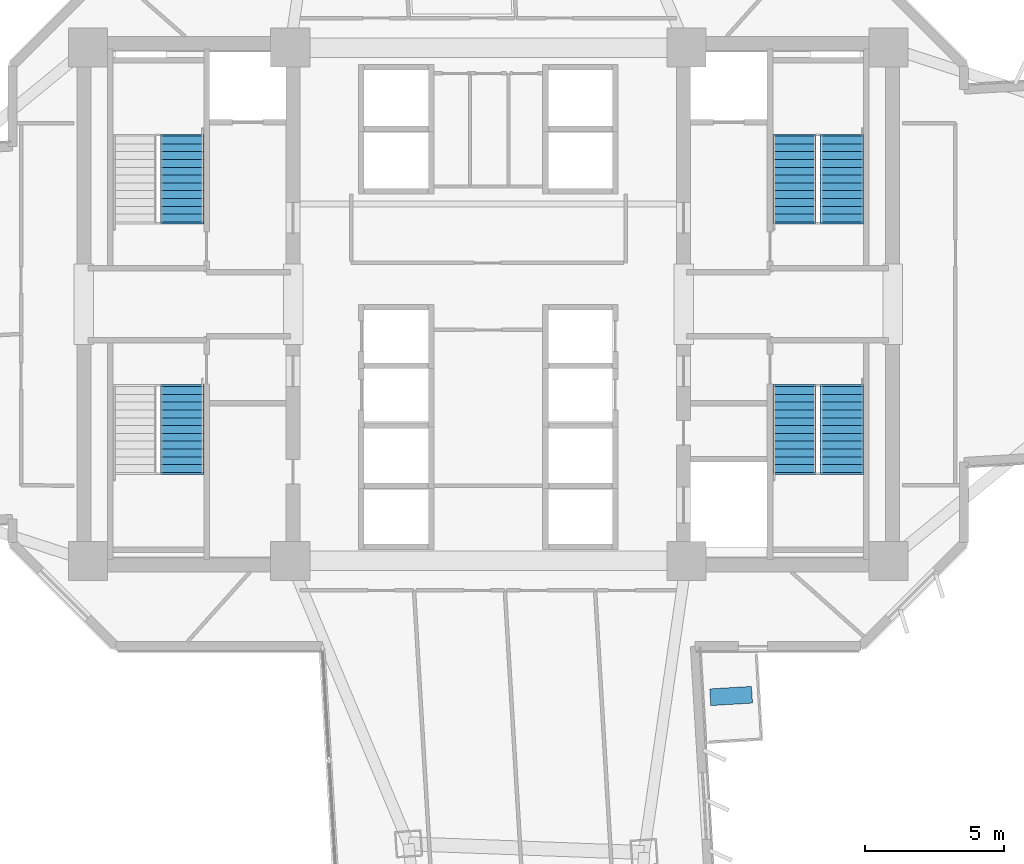
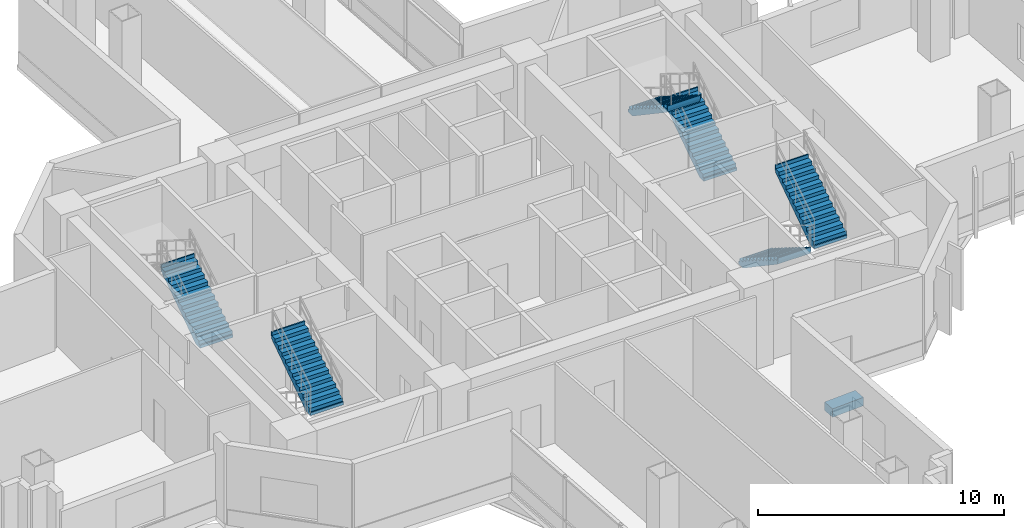
# One storey, part 10 of 15: 6 stair flights, 1 discrete accessory, 4 elements without a shape of their own.
"""IFC4 building model written with IfcOpenShell, lengths in metres."""

from ifc_helpers import new_model, si_unit, direction, frame, origin, origin_2d, place, context, subcontext, project, spatial, polyline, rectangle, outline, extrude, source, transform, mapped, material, type_object, element, aggregate, save


model = new_model("IFC4")

# Units and contexts
model_context = context("Model", 3, precision=1e-05, world=origin(), true_north=direction((0.0, 1.0)))
body_context = subcontext(model_context, "Body", "Model", "MODEL_VIEW")
ifc_project = project(units=[si_unit("LENGTHUNIT", "METRE"), si_unit("AREAUNIT", "SQUARE_METRE"), si_unit("VOLUMEUNIT", "CUBIC_METRE"), si_unit("PLANEANGLEUNIT", "RADIAN"), si_unit("MASSUNIT", "GRAM", prefix="KILO")], contexts=[model_context])

# Site, building, storey
site_placement = place(None, origin())
site = spatial("IfcSite", under=ifc_project, at=site_placement, CompositionType="ELEMENT")
building_placement = place(site_placement, origin())
building = spatial("IfcBuilding", under=site, at=building_placement, Name="Zahravan Cultural Tower", CompositionType="ELEMENT")
storey_placement = place(building_placement, frame((0.0, 0.0, 66.89990234375)))
storey = spatial("IfcBuildingStorey", under=building, at=storey_placement, Name="L14", CompositionType="ELEMENT", Elevation=66.89990234375)

# Stair, stair flight
ifc_material_1 = material(Name="Concrete C45/55", Category="concrete")
stair_type = type_object("IfcStairType", Name="STR-DL-1550-420", PredefinedType="HALF_TURN_STAIR", material=ifc_material_1)
stair_1_placement = place(storey_placement, origin())
stair_1 = element("IfcStair", 1, at=stair_1_placement, inside=storey, type_object=stair_type, Name="L14 West Core North Exit Stair ST-W1", PredefinedType="HALF_TURN_STAIR")
stair_flight_type = type_object("IfcStairFlightType", Name="FLG-DL-1550-420", PredefinedType="STRAIGHT", material=ifc_material_1)
stair_flight_1_placement = place(storey_placement, frame((25.02490234375, 29.949951171875, 0.0), z_axis=(0.0, 0.0, 1.0), x_axis=(0.0, 1.0, 0.0)))
stair_flight_1 = element("IfcStairFlight", 2, at=stair_flight_1_placement, type_object=stair_flight_type, Name="ST-W1 flight 1", NumberOfRisers=12, NumberOfTreads=11, PredefinedType="STRAIGHT", RiserHeight=0.175, TreadLength=0.28, context=body_context, shape_type="SweptSolid", body=[
    extrude(outline(polyline([(-0.06494140625, -0.139892578125), (-0.06494140625, 0.0), (0.0, 0.0), (0.0, 0.175048828125), (0.280029296875, 0.175048828125), (0.280029296875, 0.35009765625), (0.56005859375, 0.35009765625), (0.56005859375, 0.52490234375), (0.840087890625, 0.52490234375), (0.840087890625, 0.699951171875), (1.1201171875, 0.699951171875), (1.1201171875, 0.875), (1.39990234375, 0.875), (1.39990234375, 1.050048828125), (1.679931640625, 1.050048828125), (1.679931640625, 1.22509765625), (1.9599609375, 1.22509765625), (1.9599609375, 1.39990234375), (2.239990234375, 1.39990234375), (2.239990234375, 1.574951171875), (2.52001953125, 1.574951171875), (2.52001953125, 1.75), (2.800048828125, 1.75), (2.800048828125, 1.925048828125), (3.080078125, 1.925048828125), (3.080078125, 2.10009765625), (3.14501953125, 2.10009765625), (3.14501953125, 1.9501953125), (3.080078125, 1.748291015625), (0.28271484375, -0.139892578125), (-0.06494140625, -0.139892578125)])), frame((0.0, 0.77490234375, 0.0), z_axis=(0.0, -1.0, 0.0), x_axis=(1.0, 0.0, 0.0)), (0.0, 0.0, 1.0), 1.550048828125),
])
aggregate(stair_1, [stair_flight_1])

stair_2_placement = place(storey_placement, origin())
stair_2 = element("IfcStair", 3, at=stair_2_placement, inside=storey, type_object=stair_type, Name="L14 West Core South Exit Stair ST-W2", PredefinedType="HALF_TURN_STAIR")
stair_flight_2_placement = place(storey_placement, frame((25.02490234375, 20.969970703125, 2.10009765625), z_axis=(0.0, 0.0, 1.0), x_axis=(0.0, 1.0, 0.0)))
stair_flight_2 = element("IfcStairFlight", 4, at=stair_flight_2_placement, type_object=stair_flight_type, Name="ST-W2 flight 2", NumberOfRisers=12, NumberOfTreads=11, PredefinedType="STRAIGHT", RiserHeight=0.175, TreadLength=0.28, context=body_context, shape_type="SweptSolid", body=[
    extrude(outline(polyline([(-0.06494140625, -0.139892578125), (-0.06494140625, 0.0), (0.0, 0.0), (0.0, 0.175048828125), (0.280029296875, 0.175048828125), (0.280029296875, 0.35009765625), (0.56005859375, 0.35009765625), (0.56005859375, 0.52490234375), (0.840087890625, 0.52490234375), (0.840087890625, 0.699951171875), (1.1201171875, 0.699951171875), (1.1201171875, 0.875), (1.39990234375, 0.875), (1.39990234375, 1.050048828125), (1.679931640625, 1.050048828125), (1.679931640625, 1.22509765625), (1.9599609375, 1.22509765625), (1.9599609375, 1.39990234375), (2.239990234375, 1.39990234375), (2.239990234375, 1.574951171875), (2.52001953125, 1.574951171875), (2.52001953125, 1.75), (2.800048828125, 1.75), (2.800048828125, 1.925048828125), (3.080078125, 1.925048828125), (3.080078125, 2.10009765625), (3.14501953125, 2.10009765625), (3.14501953125, 1.9501953125), (3.080078125, 1.748291015625), (0.28271484375, -0.139892578125), (-0.06494140625, -0.139892578125)])), frame((0.0, 0.77490234375, 0.0), z_axis=(0.0, -1.0, 0.0), x_axis=(1.0, 0.0, 0.0)), (0.0, 0.0, 1.0), 1.550048828125),
])
aggregate(stair_2, [stair_flight_2])

# Stair, stair flights
stair_3_placement = place(storey_placement, origin())
stair_3 = element("IfcStair", 5, at=stair_3_placement, inside=storey, type_object=stair_type, Name="L14 East Core North Exit Stair ST-E1", PredefinedType="HALF_TURN_STAIR")
stair_flight_3_placement = place(storey_placement, frame((48.675048828125, 29.949951171875, 0.0), z_axis=(0.0, 0.0, 1.0), x_axis=(0.0, 1.0, 0.0)))
stair_flight_3 = element("IfcStairFlight", 6, at=stair_flight_3_placement, type_object=stair_flight_type, Name="ST-E1 flight 1", NumberOfRisers=12, NumberOfTreads=11, PredefinedType="STRAIGHT", RiserHeight=0.175, TreadLength=0.28, context=body_context, shape_type="SweptSolid", body=[
    extrude(outline(polyline([(-0.06494140625, -0.139892578125), (-0.06494140625, 0.0), (0.0, 0.0), (0.0, 0.175048828125), (0.280029296875, 0.175048828125), (0.280029296875, 0.35009765625), (0.56005859375, 0.35009765625), (0.56005859375, 0.52490234375), (0.840087890625, 0.52490234375), (0.840087890625, 0.699951171875), (1.1201171875, 0.699951171875), (1.1201171875, 0.875), (1.39990234375, 0.875), (1.39990234375, 1.050048828125), (1.679931640625, 1.050048828125), (1.679931640625, 1.22509765625), (1.9599609375, 1.22509765625), (1.9599609375, 1.39990234375), (2.239990234375, 1.39990234375), (2.239990234375, 1.574951171875), (2.52001953125, 1.574951171875), (2.52001953125, 1.75), (2.800048828125, 1.75), (2.800048828125, 1.925048828125), (3.080078125, 1.925048828125), (3.080078125, 2.10009765625), (3.14501953125, 2.10009765625), (3.14501953125, 1.9501953125), (3.080078125, 1.748291015625), (0.28271484375, -0.139892578125), (-0.06494140625, -0.139892578125)])), frame((0.0, 0.77490234375, 0.0), z_axis=(0.0, -1.0, 0.0), x_axis=(1.0, 0.0, 0.0)), (0.0, 0.0, 1.0), 1.550048828125),
])
stair_flight_4_placement = place(storey_placement, frame((46.97509765625, 33.030029296875, 2.10009765625), z_axis=(0.0, 0.0, 1.0), x_axis=(0.0, -1.0, 0.0)))
stair_flight_4 = element("IfcStairFlight", 7, at=stair_flight_4_placement, type_object=stair_flight_type, Name="ST-E1 flight 2", NumberOfRisers=12, NumberOfTreads=11, PredefinedType="STRAIGHT", RiserHeight=0.175, TreadLength=0.28, context=body_context, shape_type="SweptSolid", body=[
    extrude(outline(polyline([(-0.06494140625, -0.139892578125), (-0.06494140625, 0.0), (0.0, 0.0), (0.0, 0.175048828125), (0.280029296875, 0.175048828125), (0.280029296875, 0.35009765625), (0.56005859375, 0.35009765625), (0.56005859375, 0.52490234375), (0.840087890625, 0.52490234375), (0.840087890625, 0.699951171875), (1.1201171875, 0.699951171875), (1.1201171875, 0.875), (1.39990234375, 0.875), (1.39990234375, 1.050048828125), (1.679931640625, 1.050048828125), (1.679931640625, 1.22509765625), (1.9599609375, 1.22509765625), (1.9599609375, 1.39990234375), (2.239990234375, 1.39990234375), (2.239990234375, 1.574951171875), (2.52001953125, 1.574951171875), (2.52001953125, 1.75), (2.800048828125, 1.75), (2.800048828125, 1.925048828125), (3.080078125, 1.925048828125), (3.080078125, 2.10009765625), (3.14501953125, 2.10009765625), (3.14501953125, 1.9501953125), (3.080078125, 1.748291015625), (0.28271484375, -0.139892578125), (-0.06494140625, -0.139892578125)])), frame((0.0, 0.77490234375, 0.0), z_axis=(0.0, -1.0, 0.0), x_axis=(1.0, 0.0, 0.0)), (0.0, 0.0, 1.0), 1.550048828125),
])
aggregate(stair_3, [stair_flight_3, stair_flight_4])

stair_4_placement = place(storey_placement, origin())
stair_4 = element("IfcStair", 8, at=stair_4_placement, inside=storey, type_object=stair_type, Name="L14 East Core South Exit Stair ST-E2", PredefinedType="HALF_TURN_STAIR")
stair_flight_5_placement = place(storey_placement, frame((46.97509765625, 24.050048828125, 0.0), z_axis=(0.0, 0.0, 1.0), x_axis=(0.0, -1.0, 0.0)))
stair_flight_5 = element("IfcStairFlight", 9, at=stair_flight_5_placement, type_object=stair_flight_type, Name="ST-E2 flight 1", NumberOfRisers=12, NumberOfTreads=11, PredefinedType="STRAIGHT", RiserHeight=0.175, TreadLength=0.28, context=body_context, shape_type="SweptSolid", body=[
    extrude(outline(polyline([(-0.06494140625, -0.139892578125), (-0.06494140625, 0.0), (0.0, 0.0), (0.0, 0.175048828125), (0.280029296875, 0.175048828125), (0.280029296875, 0.35009765625), (0.56005859375, 0.35009765625), (0.56005859375, 0.52490234375), (0.840087890625, 0.52490234375), (0.840087890625, 0.699951171875), (1.1201171875, 0.699951171875), (1.1201171875, 0.875), (1.39990234375, 0.875), (1.39990234375, 1.050048828125), (1.679931640625, 1.050048828125), (1.679931640625, 1.22509765625), (1.9599609375, 1.22509765625), (1.9599609375, 1.39990234375), (2.239990234375, 1.39990234375), (2.239990234375, 1.574951171875), (2.52001953125, 1.574951171875), (2.52001953125, 1.75), (2.800048828125, 1.75), (2.800048828125, 1.925048828125), (3.080078125, 1.925048828125), (3.080078125, 2.10009765625), (3.14501953125, 2.10009765625), (3.14501953125, 1.9501953125), (3.080078125, 1.748291015625), (0.28271484375, -0.139892578125), (-0.06494140625, -0.139892578125)])), frame((0.0, 0.77490234375, 0.0), z_axis=(0.0, -1.0, 0.0), x_axis=(1.0, 0.0, 0.0)), (0.0, 0.0, 1.0), 1.550048828125),
])
stair_flight_6_placement = place(storey_placement, frame((48.675048828125, 20.969970703125, 2.10009765625), z_axis=(0.0, 0.0, 1.0), x_axis=(0.0, 1.0, 0.0)))
stair_flight_6 = element("IfcStairFlight", 10, at=stair_flight_6_placement, type_object=stair_flight_type, Name="ST-E2 flight 2", NumberOfRisers=12, NumberOfTreads=11, PredefinedType="STRAIGHT", RiserHeight=0.175, TreadLength=0.28, context=body_context, shape_type="SweptSolid", body=[
    extrude(outline(polyline([(-0.06494140625, -0.139892578125), (-0.06494140625, 0.0), (0.0, 0.0), (0.0, 0.175048828125), (0.280029296875, 0.175048828125), (0.280029296875, 0.35009765625), (0.56005859375, 0.35009765625), (0.56005859375, 0.52490234375), (0.840087890625, 0.52490234375), (0.840087890625, 0.699951171875), (1.1201171875, 0.699951171875), (1.1201171875, 0.875), (1.39990234375, 0.875), (1.39990234375, 1.050048828125), (1.679931640625, 1.050048828125), (1.679931640625, 1.22509765625), (1.9599609375, 1.22509765625), (1.9599609375, 1.39990234375), (2.239990234375, 1.39990234375), (2.239990234375, 1.574951171875), (2.52001953125, 1.574951171875), (2.52001953125, 1.75), (2.800048828125, 1.75), (2.800048828125, 1.925048828125), (3.080078125, 1.925048828125), (3.080078125, 2.10009765625), (3.14501953125, 2.10009765625), (3.14501953125, 1.9501953125), (3.080078125, 1.748291015625), (0.28271484375, -0.139892578125), (-0.06494140625, -0.139892578125)])), frame((0.0, 0.77490234375, 0.0), z_axis=(0.0, -1.0, 0.0), x_axis=(1.0, 0.0, 0.0)), (0.0, 0.0, 1.0), 1.550048828125),
])
aggregate(stair_4, [stair_flight_5, stair_flight_6])

# Discrete accessory
ifc_material_2 = material(Name="Planted soil and terracotta planter", Category="masonry")
discrete_accessory_type = type_object("IfcDiscreteAccessoryType", Name="ACC-PLANTER-TC", PredefinedType="USERDEFINED", material=ifc_material_2)
shared_shape = source(origin(), body_context, "Body", "SweptSolid", [
    extrude(rectangle(XDim=1.5, YDim=0.60009765625, at=origin_2d()), origin(), (0.0, 0.0, 1.0), 0.419921875),
])
discrete_accessory_placement = place(storey_placement, frame((44.705810546875, 12.954345703125, 0.000244140625), z_axis=(0.0, 0.0, 1.0), x_axis=(0.998219065278, 0.05965482139, 0.0)))
element("IfcDiscreteAccessory", 11, at=discrete_accessory_placement, inside=storey, type_object=discrete_accessory_type, Name="L14 Terracotta Sculpture Planter SE", ObjectType="PLANTER", PredefinedType="USERDEFINED", context=body_context, shape_type="MappedRepresentation", body=[
    mapped(shared_shape, transform((0.0, 0.0, 0.0), x_axis=(1.0, 0.0, 0.0), y_axis=(0.0, 1.0, 0.0), z_axis=(0.0, 0.0, 1.0), scale=1.0)),
])

save(model, "model.ifc")
